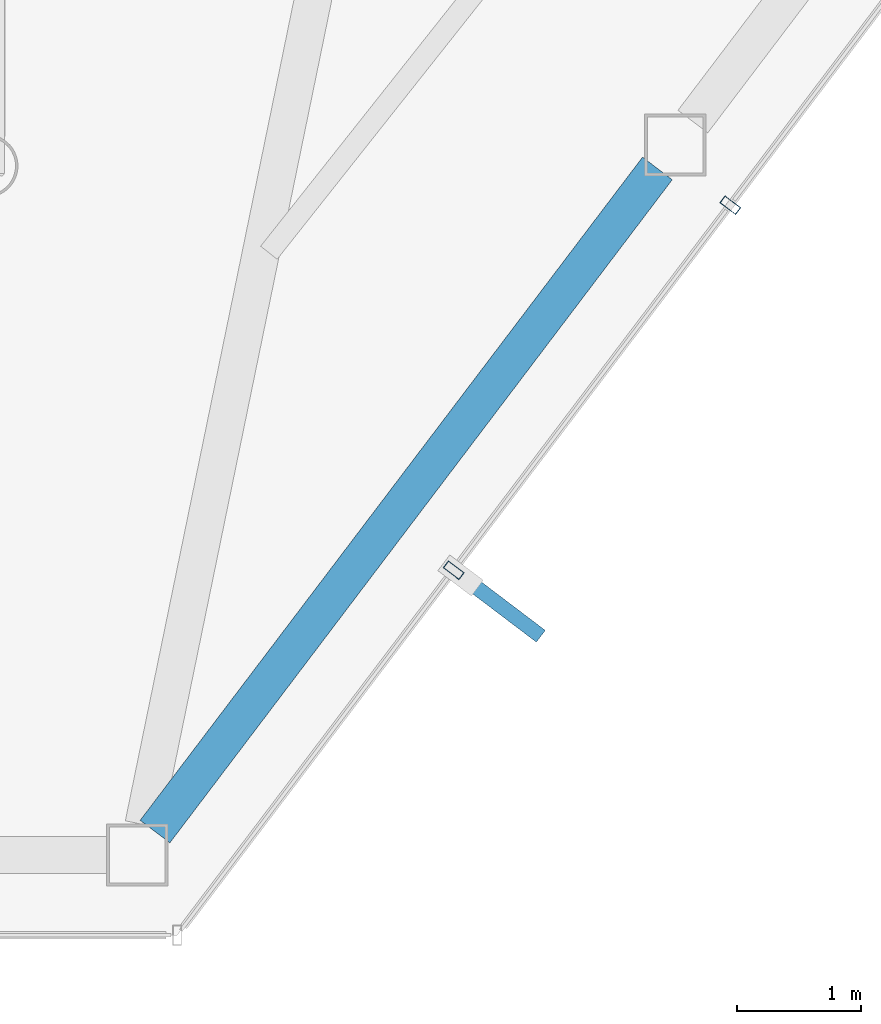
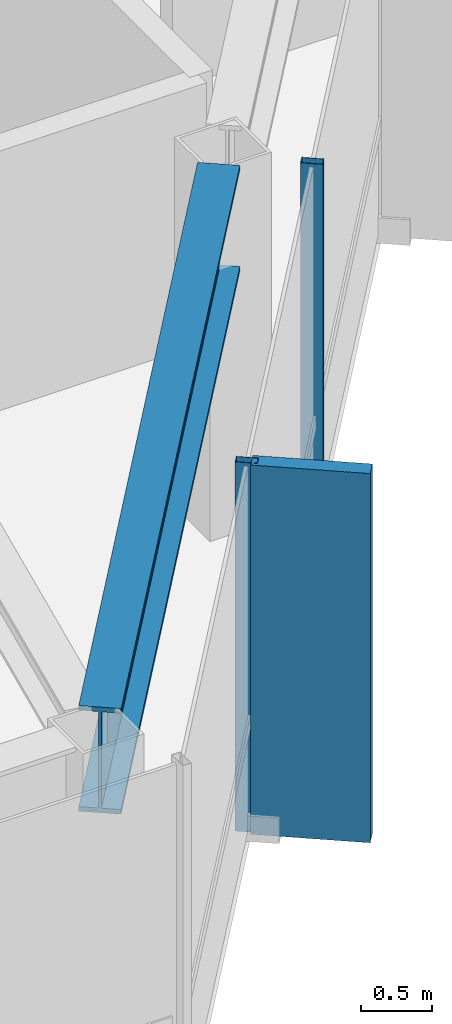
# One storey, part 6 of 26: 3 members, 1 beam, 1 element without a shape of its own.
"""IFC4 building model written with IfcOpenShell, lengths in metres."""

from ifc_helpers import new_model, si_unit, direction, frame, origin, origin_2d, place, context, subcontext, project, spatial, rectangle, hollow_rectangle, i_section, extrude, material, layer, layer_set, material_profile, profile_set, type_object, element, aggregate, save


model = new_model("IFC4")

# Units and contexts
model_context = context("Model", 3, precision=1e-05, world=origin(), true_north=direction((0.0, 1.0)))
body_context = subcontext(model_context, "Body", "Model", "MODEL_VIEW")
ifc_project = project(units=[si_unit("LENGTHUNIT", "METRE"), si_unit("AREAUNIT", "SQUARE_METRE"), si_unit("VOLUMEUNIT", "CUBIC_METRE"), si_unit("PLANEANGLEUNIT", "RADIAN"), si_unit("MASSUNIT", "GRAM", prefix="KILO")], contexts=[model_context])

# Site, building, storey
site_placement = place(None, origin())
site = spatial("IfcSite", under=ifc_project, at=site_placement, CompositionType="ELEMENT")
building_placement = place(site_placement, origin())
building = spatial("IfcBuilding", under=site, at=building_placement, Name="Zarrinselat Tower", CompositionType="ELEMENT")
storey_placement = place(building_placement, frame((0.0, 0.0, 258.39990234375)))
storey = spatial("IfcBuildingStorey", under=building, at=storey_placement, Name="L65", CompositionType="ELEMENT", Elevation=258.39990234375)

# Beam
ifc_material_1 = material(Name="Steel S460M", Category="steel")
ifc_material_profile_1 = material_profile(ifc_material_1, i_section(OverallWidth=0.302001953125, OverallDepth=0.909912109375, WebThickness=0.02099609375, FlangeThickness=0.0400390625, at=origin_2d()), Name="HEM 900")
ifc_profile_set_1 = profile_set([ifc_material_profile_1], Name="Steel S460M")
beam_type = type_object("IfcBeamType", Name="BM-HEM900", PredefinedType="BEAM", material=ifc_profile_set_1)
beam_placement = place(storey_placement, frame((43.163330078125, 19.810791015625, 2.72509765625), z_axis=(0.603861177265, 0.797089504756, 0.0), x_axis=(-0.797089504756, 0.603861177265, 0.0)))
element("IfcBeam", 1, at=beam_placement, inside=storey, type_object=beam_type, Name="L65 Perimeter Spandrel Girder SP11", PredefinedType="BEAM", context=body_context, shape_type="SweptSolid", body=[
    extrude(i_section(OverallWidth=0.302001953125, OverallDepth=0.909912109375, WebThickness=0.02099609375, FlangeThickness=0.0400390625, at=origin_2d()), origin(), (0.0, 0.0, 1.0), 6.735595703125),
])

# Curtain wall, members
ifc_material_2 = material(Name="Extruded Aluminium Alloy EN AW-6063 T6", Category="aluminium")
ifc_layer = layer(ifc_material_2, 0.169921875)
ifc_layer_set = layer_set([ifc_layer], Name="Extruded Aluminium Alloy EN AW-6063 T6")
curtain_wall_type = type_object("IfcCurtainWallType", Name="CWS-RES", PredefinedType="NOTDEFINED", material=ifc_layer_set)
curtain_wall_placement = place(storey_placement, origin())
curtain_wall = element("IfcCurtainWall", 2, at=curtain_wall_placement, inside=storey, type_object=curtain_wall_type, Name="L65 Unitised Curtain Wall CW-L65-E05", PredefinedType="NOTDEFINED")
ifc_material_3 = material(Name="Extruded Aluminium Alloy EN AW-6063 T6", Category="aluminium")
ifc_material_profile_2 = material_profile(ifc_material_3, hollow_rectangle(XDim=0.070068359375, YDim=0.159912109375, WallThickness=0.00390625, at=origin_2d()), Name="RHS 160x70x4")
ifc_profile_set_2 = profile_set([ifc_material_profile_2], Name="Extruded Aluminium Alloy EN AW-6063 T6")
member_type_1 = type_object("IfcMemberType", Name="MEM-CW-MUL2", PredefinedType="MULLION", material=ifc_profile_set_2)
member_1_placement = place(storey_placement, frame((45.58154296875, 21.926513671875, 0.0), z_axis=(0.0, 0.0, 1.0), x_axis=(0.603859570382, 0.7970907221, 0.0)))
member_1 = element("IfcMember", 3, at=member_1_placement, type_object=member_type_1, Name="CW-L65-E05 Mullion 1", PredefinedType="MULLION", context=body_context, shape_type="SweptSolid", body=[
    extrude(hollow_rectangle(XDim=0.070068359375, YDim=0.159912109375, WallThickness=0.00390625, at=origin_2d()), origin(), (0.0, 0.0, 1.0), 3.18017578125),
])
member_2_placement = place(storey_placement, frame((47.820556640625, 24.8818359375, 0.0), z_axis=(0.0, 0.0, 1.0), x_axis=(0.603859570382, 0.7970907221, 0.0)))
member_2 = element("IfcMember", 4, at=member_2_placement, type_object=member_type_1, Name="CW-L65-E05 Mullion 2", PredefinedType="MULLION", context=body_context, shape_type="SweptSolid", body=[
    extrude(hollow_rectangle(XDim=0.070068359375, YDim=0.159912109375, WallThickness=0.00390625, at=origin_2d()), origin(), (0.0, 0.0, 1.0), 3.18017578125),
])
ifc_material_4 = material(Name="Honed Cream Travertine Stone", Category="masonry")
ifc_material_profile_3 = material_profile(ifc_material_4, rectangle(XDim=0.1201171875, YDim=0.85009765625, at=origin_2d()), Name="FIN 850x120")
ifc_profile_set_3 = profile_set([ifc_material_profile_3], Name="Honed Cream Travertine Stone")
member_type_2 = type_object("IfcMemberType", Name="MEM-STONE-FIN", PredefinedType="USERDEFINED", material=ifc_profile_set_3)
member_3_placement = place(storey_placement, frame((45.9482421875, 21.648681640625, 0.0), z_axis=(0.0, 0.0, 1.0), x_axis=(-0.603859570382, -0.7970907221, 0.0)))
member_3 = element("IfcMember", 5, at=member_3_placement, type_object=member_type_2, Name="L65 Stone Shading Fin CW-L65-E05-01", ObjectType="FIN", PredefinedType="USERDEFINED", context=body_context, shape_type="SweptSolid", body=[
    extrude(rectangle(XDim=0.1201171875, YDim=0.85009765625, at=origin_2d()), origin(), (0.0, 0.0, 1.0), 3.18017578125),
])
aggregate(curtain_wall, [member_1, member_3, member_2])

save(model, "model.ifc")
